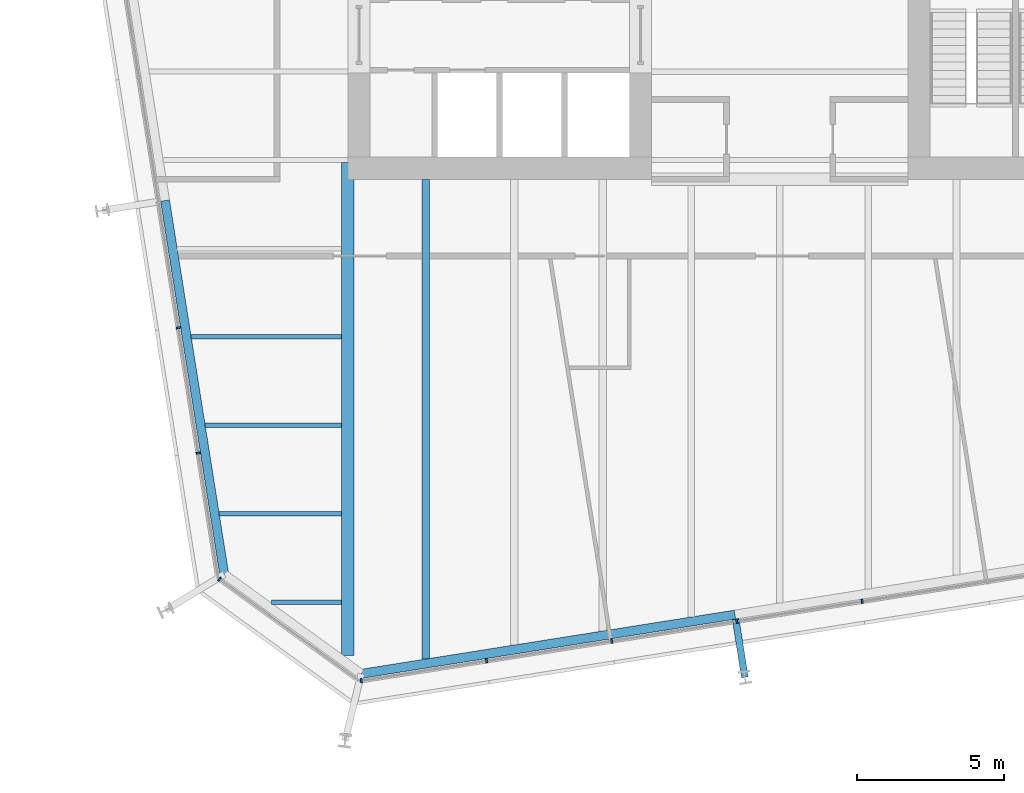
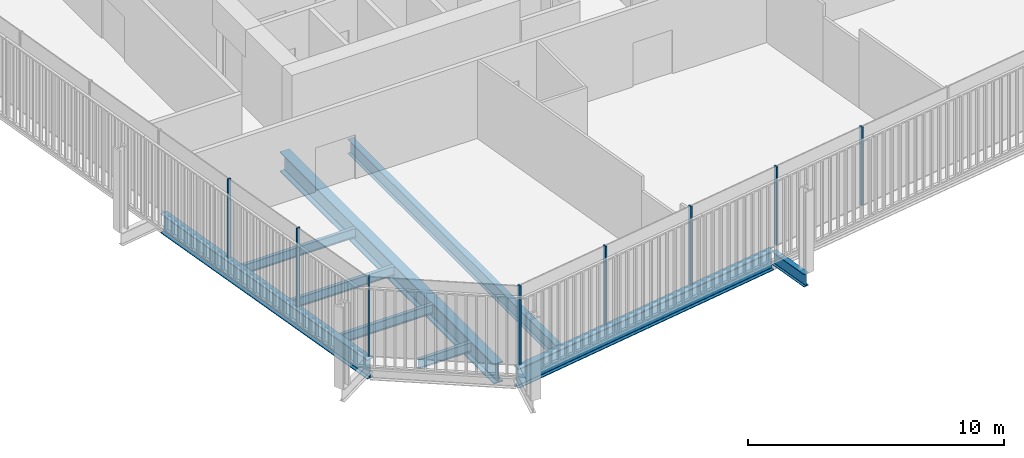
# One storey, part 2 of 21: 9 beams, 8 members, 3 elements without a shape of their own.
"""IFC4 building model written with IfcOpenShell, lengths in metres."""

from ifc_helpers import new_model, si_unit, direction, frame, origin, origin_2d, place, context, subcontext, project, spatial, rectangle, i_section, extrude, material, layer, layer_set, material_profile, profile_set, type_object, element, aggregate, save


model = new_model("IFC4")

# Units and contexts
model_context = context("Model", 3, precision=1e-05, world=origin(), true_north=direction((0.0, 1.0)))
body_context = subcontext(model_context, "Body", "Model", "MODEL_VIEW")
ifc_project = project(units=[si_unit("LENGTHUNIT", "METRE"), si_unit("AREAUNIT", "SQUARE_METRE"), si_unit("VOLUMEUNIT", "CUBIC_METRE"), si_unit("PLANEANGLEUNIT", "RADIAN"), si_unit("MASSUNIT", "GRAM", prefix="KILO")], contexts=[model_context])

# Site, building, storey
site_placement = place(None, origin())
site = spatial("IfcSite", under=ifc_project, at=site_placement, CompositionType="ELEMENT")
building_placement = place(site_placement, origin())
building = spatial("IfcBuilding", under=site, at=building_placement, Name="Millrace Tower", CompositionType="ELEMENT")
storey_placement = place(building_placement, frame((0.0, 0.0, 183.89990234375)))
storey = spatial("IfcBuildingStorey", under=building, at=storey_placement, Name="L41", CompositionType="ELEMENT", Elevation=183.89990234375)

# Curtain wall, member
ifc_material_1 = material(Name="Aluminium and glass", Category="aluminium")
ifc_layer = layer(ifc_material_1, 0.14990234375)
ifc_layer_set = layer_set([ifc_layer], Name="Aluminium and glass")
curtain_wall_type = type_object("IfcCurtainWallType", Name="CW-1 office vision curtain wall", PredefinedType="NOTDEFINED", material=ifc_layer_set)
placement = place(storey_placement, origin())
curtain_wall_1 = element("IfcCurtainWall", 1, at=placement, inside=storey, type_object=curtain_wall_type, Name="Curtain wall C-F01 L41", PredefinedType="NOTDEFINED")
ifc_material_2 = material(Name="Aluminium", Category="aluminium")
ifc_material_profile_1 = material_profile(ifc_material_2, rectangle(XDim=0.06494140625, YDim=0.14990234375, at=origin_2d()))
ifc_profile_set_1 = profile_set([ifc_material_profile_1], Name="Aluminium")
member_type = type_object("IfcMemberType", Name="CW-1 office vision curtain wall mullion", PredefinedType="MULLION", material=ifc_profile_set_1)
member_1_placement = place(storey_placement, frame((-19.00146484375, -23.2177734375, 0.14013671875), z_axis=(0.0, 0.0, 1.0), x_axis=(0.809016981623, -0.587785269844, 0.0)))
member_1 = element("IfcMember", 2, at=member_1_placement, type_object=member_type, Name="CW1 mullion C-F01.1", PredefinedType="MULLION", context=body_context, shape_type="SweptSolid", body=[
    extrude(rectangle(XDim=0.06494140625, YDim=0.14990234375, at=origin_2d()), origin(), (0.0, 0.0, 1.0), 3.760009765625),
])
aggregate(curtain_wall_1, [member_1])

# Curtain wall, members
curtain_wall_2 = element("IfcCurtainWall", 3, at=placement, inside=storey, type_object=curtain_wall_type, Name="Curtain wall C-F02 L41", PredefinedType="NOTDEFINED")
member_2_placement = place(storey_placement, frame((-14.191650390625, -26.65673828125, 0.14013671875), z_axis=(0.0, 0.0, 1.0), x_axis=(0.98768833929, 0.15643447328, 0.0)))
member_2 = element("IfcMember", 4, at=member_2_placement, type_object=member_type, Name="CW1 mullion C-F02.1", PredefinedType="MULLION", context=body_context, shape_type="SweptSolid", body=[
    extrude(rectangle(XDim=0.06494140625, YDim=0.14990234375, at=origin_2d()), origin(), (0.0, 0.0, 1.0), 3.760009765625),
])
member_3_placement = place(storey_placement, frame((-9.944580078125, -25.98388671875, 0.14013671875), z_axis=(0.0, 0.0, 1.0), x_axis=(0.98768833929, 0.15643447328, 0.0)))
member_3 = element("IfcMember", 5, at=member_3_placement, type_object=member_type, Name="CW1 mullion C-F02.2", PredefinedType="MULLION", context=body_context, shape_type="SweptSolid", body=[
    extrude(rectangle(XDim=0.06494140625, YDim=0.14990234375, at=origin_2d()), origin(), (0.0, 0.0, 1.0), 3.760009765625),
])
member_4_placement = place(storey_placement, frame((-5.697509765625, -25.311279296875, 0.14013671875), z_axis=(0.0, 0.0, 1.0), x_axis=(0.98768833929, 0.15643447328, 0.0)))
member_4 = element("IfcMember", 6, at=member_4_placement, type_object=member_type, Name="CW1 mullion C-F02.3", PredefinedType="MULLION", context=body_context, shape_type="SweptSolid", body=[
    extrude(rectangle(XDim=0.06494140625, YDim=0.14990234375, at=origin_2d()), origin(), (0.0, 0.0, 1.0), 3.760009765625),
])
member_5_placement = place(storey_placement, frame((-1.450439453125, -24.638671875, 0.14013671875), z_axis=(0.0, 0.0, 1.0), x_axis=(0.98768833929, 0.15643447328, 0.0)))
member_5 = element("IfcMember", 7, at=member_5_placement, type_object=member_type, Name="CW1 mullion C-F02.4", PredefinedType="MULLION", context=body_context, shape_type="SweptSolid", body=[
    extrude(rectangle(XDim=0.06494140625, YDim=0.14990234375, at=origin_2d()), origin(), (0.0, 0.0, 1.0), 3.760009765625),
])
member_6_placement = place(storey_placement, frame((2.796630859375, -23.966064453125, 0.14013671875), z_axis=(0.0, 0.0, 1.0), x_axis=(0.98768833929, 0.15643447328, 0.0)))
member_6 = element("IfcMember", 8, at=member_6_placement, type_object=member_type, Name="CW1 mullion C-F02.5", PredefinedType="MULLION", context=body_context, shape_type="SweptSolid", body=[
    extrude(rectangle(XDim=0.06494140625, YDim=0.14990234375, at=origin_2d()), origin(), (0.0, 0.0, 1.0), 3.760009765625),
])
aggregate(curtain_wall_2, [member_2, member_3, member_4, member_5, member_6])

curtain_wall_3 = element("IfcCurtainWall", 9, at=placement, inside=storey, type_object=curtain_wall_type, Name="Curtain wall C-F08 L41", PredefinedType="NOTDEFINED")
member_7_placement = place(storey_placement, frame((-20.39794921875, -14.687744140625, 0.14013671875), z_axis=(0.0, 0.0, 1.0), x_axis=(0.15643447328, -0.98768833929, 0.0)))
member_7 = element("IfcMember", 10, at=member_7_placement, type_object=member_type, Name="CW1 mullion C-F08.8", PredefinedType="MULLION", context=body_context, shape_type="SweptSolid", body=[
    extrude(rectangle(XDim=0.06494140625, YDim=0.14990234375, at=origin_2d()), origin(), (0.0, 0.0, 1.0), 3.760009765625),
])
member_8_placement = place(storey_placement, frame((-19.725341796875, -18.934814453125, 0.14013671875), z_axis=(0.0, 0.0, 1.0), x_axis=(0.15643447328, -0.98768833929, 0.0)))
member_8 = element("IfcMember", 11, at=member_8_placement, type_object=member_type, Name="CW1 mullion C-F08.9", PredefinedType="MULLION", context=body_context, shape_type="SweptSolid", body=[
    extrude(rectangle(XDim=0.06494140625, YDim=0.14990234375, at=origin_2d()), origin(), (0.0, 0.0, 1.0), 3.760009765625),
])
aggregate(curtain_wall_3, [member_7, member_8])

# Beams
ifc_material_3 = material(Name="Steel ASTM A992 Grade 50", Category="steel")
ifc_material_profile_2 = material_profile(ifc_material_3, i_section(OverallWidth=0.15234375, OverallDepth=0.449462890625, WebThickness=0.007568359375, FlangeThickness=0.0107421875, FilletRadius=0.01025390625, at=origin_2d()))
ifc_profile_set_2 = profile_set([ifc_material_profile_2], Name="Steel ASTM A992 Grade 50")
beam_type_1 = type_object("IfcBeamType", Name="Floor beam W18x35", PredefinedType="JOIST", material=ifc_profile_set_2)
beam_1_placement = place(storey_placement, frame((-19.01123046875, -21.0, -0.384765625), z_axis=(1.0, 0.0, 0.0), x_axis=(0.0, 1.0, 0.0)))
element("IfcBeam", 12, at=beam_1_placement, inside=storey, type_object=beam_type_1, Name="BM-C-L41-S1-S002", PredefinedType="JOIST", context=body_context, shape_type="SweptSolid", body=[
    extrude(i_section(OverallWidth=0.15234375, OverallDepth=0.449462890625, WebThickness=0.007568359375, FlangeThickness=0.0107421875, FilletRadius=0.01025390625, at=origin_2d()), origin(), (0.0, 0.0, 1.0), 4.151611328125),
])
beam_2_placement = place(storey_placement, frame((-19.486328125, -18.0, -0.384765625), z_axis=(1.0, 0.0, 0.0), x_axis=(0.0, 1.0, 0.0)))
element("IfcBeam", 13, at=beam_2_placement, inside=storey, type_object=beam_type_1, Name="BM-C-L41-S1-S004", PredefinedType="JOIST", context=body_context, shape_type="SweptSolid", body=[
    extrude(i_section(OverallWidth=0.15234375, OverallDepth=0.449462890625, WebThickness=0.007568359375, FlangeThickness=0.0107421875, FilletRadius=0.01025390625, at=origin_2d()), origin(), (0.0, 0.0, 1.0), 4.626708984375),
])
beam_3_placement = place(storey_placement, frame((-19.96142578125, -15.0, -0.384765625), z_axis=(1.0, 0.0, 0.0), x_axis=(0.0, 1.0, 0.0)))
element("IfcBeam", 14, at=beam_3_placement, inside=storey, type_object=beam_type_1, Name="BM-C-L41-S1-S006", PredefinedType="JOIST", context=body_context, shape_type="SweptSolid", body=[
    extrude(i_section(OverallWidth=0.15234375, OverallDepth=0.449462890625, WebThickness=0.007568359375, FlangeThickness=0.0107421875, FilletRadius=0.01025390625, at=origin_2d()), origin(), (0.0, 0.0, 1.0), 5.101806640625),
])
beam_4_placement = place(storey_placement, frame((-17.246337890625, -24.0, -0.384765625), z_axis=(1.0, 0.0, 0.0), x_axis=(0.0, 1.0, 0.0)))
element("IfcBeam", 15, at=beam_4_placement, inside=storey, type_object=beam_type_1, Name="BM-C-L41-S1-S001", PredefinedType="JOIST", context=body_context, shape_type="SweptSolid", body=[
    extrude(i_section(OverallWidth=0.15234375, OverallDepth=0.449462890625, WebThickness=0.007568359375, FlangeThickness=0.0107421875, FilletRadius=0.01025390625, at=origin_2d()), origin(), (0.0, 0.0, 1.0), 2.38671875),
])
ifc_material_4 = material(Name="Steel ASTM A992 Grade 50", Category="steel")
ifc_material_profile_3 = material_profile(ifc_material_4, i_section(OverallWidth=0.256591796875, OverallDepth=0.693359375, WebThickness=0.014404296875, FlangeThickness=0.023681640625, FilletRadius=0.01513671875, at=origin_2d()))
ifc_profile_set_3 = profile_set([ifc_material_profile_3], Name="Steel ASTM A992 Grade 50")
beam_type_2 = type_object("IfcBeamType", Name="Floor beam W27x114", PredefinedType="JOIST", material=ifc_profile_set_3)
beam_5_placement = place(storey_placement, frame((-12.0, -25.92236328125, -0.506591796875), z_axis=(0.0, 1.0, 0.0), x_axis=(-1.0, 0.0, 0.0)))
element("IfcBeam", 16, at=beam_5_placement, inside=storey, type_object=beam_type_2, Name="BM-C-L41-S1-S040", PredefinedType="JOIST", context=body_context, shape_type="SweptSolid", body=[
    extrude(i_section(OverallWidth=0.256591796875, OverallDepth=0.693359375, WebThickness=0.014404296875, FlangeThickness=0.023681640625, FilletRadius=0.01513671875, at=origin_2d()), origin(), (0.0, 0.0, 1.0), 16.2724609375),
])
ifc_material_5 = material(Name="Steel ASTM A992 Grade 50", Category="steel")
ifc_material_profile_4 = material_profile(ifc_material_5, i_section(OverallWidth=0.424072265625, OverallDepth=0.947509765625, WebThickness=0.02392578125, FlangeThickness=0.042724609375, FilletRadius=0.024169921875, at=origin_2d()))
ifc_profile_set_4 = profile_set([ifc_material_profile_4], Name="Steel ASTM A992 Grade 50")
beam_type_3 = type_object("IfcBeamType", Name="Girder medium span W36x302", PredefinedType="BEAM", material=ifc_profile_set_4)
beam_6_placement = place(storey_placement, frame((-14.64990234375, -25.806640625, -0.633544921875), z_axis=(0.0, 1.0, 0.0), x_axis=(-1.0, 0.0, 0.0)))
element("IfcBeam", 17, at=beam_6_placement, inside=storey, type_object=beam_type_3, Name="BM-C-L41-S1-G058", PredefinedType="BEAM", context=body_context, shape_type="SweptSolid", body=[
    extrude(i_section(OverallWidth=0.424072265625, OverallDepth=0.947509765625, WebThickness=0.02392578125, FlangeThickness=0.042724609375, FilletRadius=0.024169921875, at=origin_2d()), origin(), (0.0, 0.0, 1.0), 16.720703125),
])
ifc_material_6 = material(Name="Steel ASTM A992 Grade 50", Category="steel")
ifc_material_profile_5 = material_profile(ifc_material_6, i_section(OverallWidth=0.23046875, OverallDepth=0.6171875, WebThickness=0.01318359375, FlangeThickness=0.022216796875, FilletRadius=0.012939453125, at=origin_2d()))
ifc_profile_set_5 = profile_set([ifc_material_profile_5], Name="Steel ASTM A992 Grade 50")
beam_type_4 = type_object("IfcBeamType", Name="Link beam W24x94", PredefinedType="BEAM", material=ifc_profile_set_5)
beam_7_placement = place(storey_placement, frame((-1.494384765625, -24.569580078125, -0.468505859375), z_axis=(0.156476509441, -0.987681680499, 0.0), x_axis=(0.987681680499, 0.156476509441, 0.0)))
element("IfcBeam", 18, at=beam_7_placement, inside=storey, type_object=beam_type_4, Name="LNK-C-L41-S1-15", PredefinedType="BEAM", context=body_context, shape_type="SweptSolid", body=[
    extrude(i_section(OverallWidth=0.23046875, OverallDepth=0.6171875, WebThickness=0.01318359375, FlangeThickness=0.022216796875, FilletRadius=0.012939453125, at=origin_2d()), origin(), (0.0, 0.0, 1.0), 2.000244140625),
])
ifc_material_7 = material(Name="Steel ASTM A992 Grade 50", Category="steel")
ifc_material_profile_6 = material_profile(ifc_material_7, i_section(OverallWidth=0.307373046875, OverallDepth=0.927001953125, WebThickness=0.01953125, FlangeThickness=0.031982421875, FilletRadius=0.01904296875, at=origin_2d()))
ifc_profile_set_6 = profile_set([ifc_material_profile_6], Name="Steel ASTM A992 Grade 50")
beam_type_5 = type_object("IfcBeamType", Name="Ring beam medium span W36x194", PredefinedType="SPANDREL", material=ifc_profile_set_6)
beam_8_placement = place(storey_placement, frame((-18.841796875, -23.051025390625, -0.62353515625), z_axis=(-0.156436246498, 0.987688058438, 0.0), x_axis=(-0.987688058438, -0.156436246498, 0.0)))
element("IfcBeam", 19, at=beam_8_placement, inside=storey, type_object=beam_type_5, Name="RNG-C-L41-S1-01", PredefinedType="SPANDREL", context=body_context, shape_type="SweptSolid", body=[
    extrude(i_section(OverallWidth=0.307373046875, OverallDepth=0.927001953125, WebThickness=0.01953125, FlangeThickness=0.031982421875, FilletRadius=0.01904296875, at=origin_2d()), origin(), (0.0, 0.0, 1.0), 12.836181640625),
])
beam_9_placement = place(storey_placement, frame((-1.518310546875, -24.41796875, -0.62353515625), z_axis=(-0.987688523879, -0.15643330783, 0.0), x_axis=(0.15643330783, -0.987688523879, 0.0)))
element("IfcBeam", 20, at=beam_9_placement, inside=storey, type_object=beam_type_5, Name="RNG-C-L41-S1-15", PredefinedType="SPANDREL", context=body_context, shape_type="SweptSolid", body=[
    extrude(i_section(OverallWidth=0.307373046875, OverallDepth=0.927001953125, WebThickness=0.01953125, FlangeThickness=0.031982421875, FilletRadius=0.01904296875, at=origin_2d()), origin(), (0.0, 0.0, 1.0), 12.83642578125),
])

save(model, "model.ifc")
